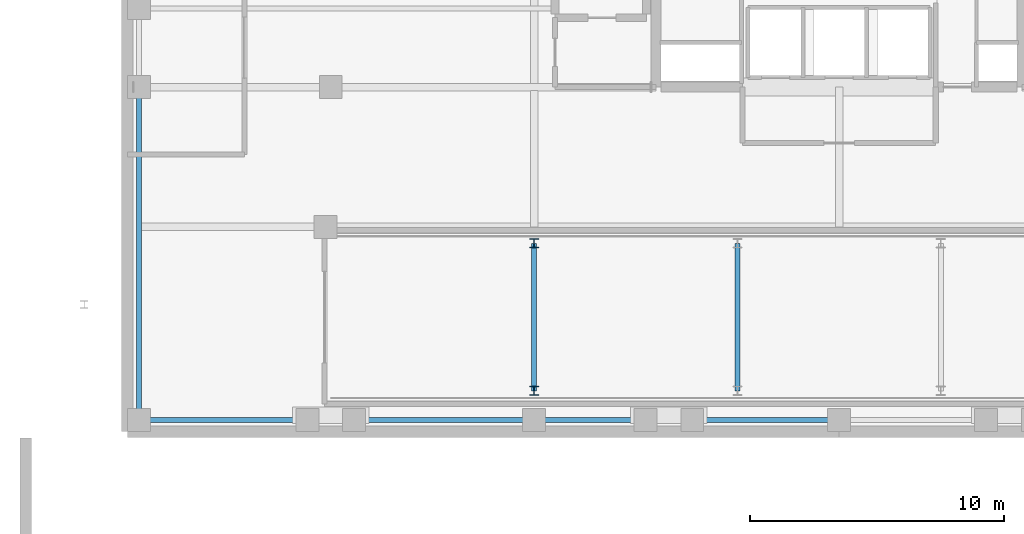
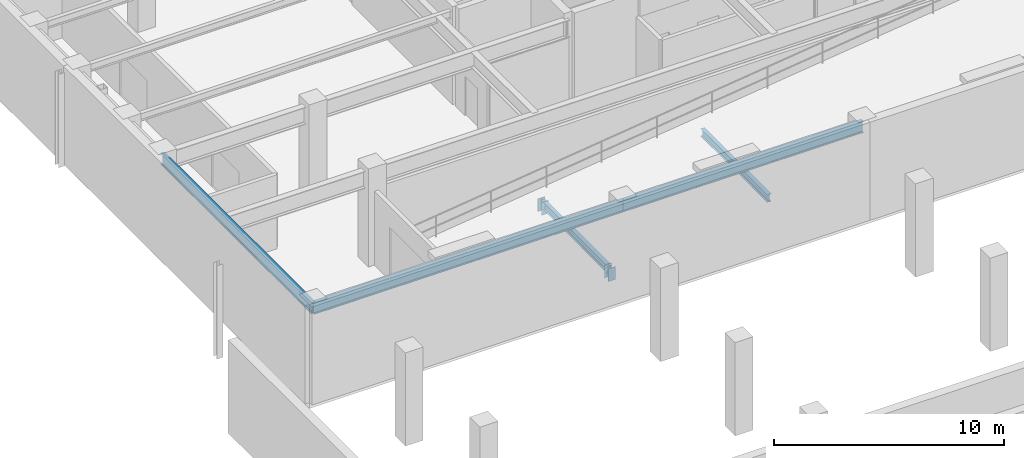
# One storey, part 7 of 16: 5 beams, 2 columns.
"""IFC4 building model written with IfcOpenShell, lengths in metres."""

from ifc_helpers import new_model, si_unit, direction, frame, origin, origin_2d, place, context, subcontext, project, spatial, i_section, extrude, material, material_profile, profile_set, type_object, element, save


model = new_model("IFC4")

# Units and contexts
model_context = context("Model", 3, precision=1e-05, world=origin(), true_north=direction((0.0, 1.0)))
body_context = subcontext(model_context, "Body", "Model", "MODEL_VIEW")
ifc_project = project(units=[si_unit("LENGTHUNIT", "METRE"), si_unit("AREAUNIT", "SQUARE_METRE"), si_unit("VOLUMEUNIT", "CUBIC_METRE"), si_unit("PLANEANGLEUNIT", "RADIAN"), si_unit("MASSUNIT", "GRAM", prefix="KILO")], contexts=[model_context])

# Site, building, storey
site_placement = place(None, origin())
site = spatial("IfcSite", under=ifc_project, at=site_placement, CompositionType="ELEMENT")
building_placement = place(site_placement, origin())
building = spatial("IfcBuilding", under=site, at=building_placement, Name="Veldorina Hangang Commons", CompositionType="ELEMENT")
storey_placement = place(building_placement, frame((0.0, 0.0, -5.199951171875)))
storey = spatial("IfcBuildingStorey", under=building, at=storey_placement, Name="B01", CompositionType="ELEMENT", Elevation=-5.199951171875)

# Columns
ifc_material_1 = material(Name="Steel SM420-TMC", Category="steel")
ifc_material_profile_1 = material_profile(ifc_material_1, i_section(OverallWidth=0.35009765625, OverallDepth=0.35009765625, WebThickness=0.011962890625, FlangeThickness=0.01904296875, FilletRadius=0.01611328125, at=origin_2d()), Name="H-350x350x12x19")
ifc_profile_set_1 = profile_set([ifc_material_profile_1], Name="Steel SM420-TMC")
column_type = type_object("IfcColumnType", Name="COL-H350", PredefinedType="COLUMN", material=ifc_profile_set_1)
for number, where, z_axis, x_axis, name in (
    (1, (20.0, 4.60009765625, 0.0), (0.0, 0.0, 1.0), (1.0, 0.0, 0.0), "B01 vehicle ramp support column 1S"),
    (2, (20.0, 10.39990234375, 0.0), (0.0, 0.0, 1.0), (1.0, 0.0, 0.0), "B01 vehicle ramp support column 1N"),
):
    element("IfcColumn", number, at=place(storey_placement, frame(where, z_axis=z_axis, x_axis=x_axis)), inside=storey, type_object=column_type, Name=name, PredefinedType="COLUMN", context=body_context, shape_type="SweptSolid", body=[
        extrude(i_section(OverallWidth=0.35009765625, OverallDepth=0.35009765625, WebThickness=0.011962890625, FlangeThickness=0.01904296875, FilletRadius=0.01611328125, at=origin_2d()), origin(), (0.0, 0.0, 1.0), 0.681396484375),
    ])

# Beams
ifc_material_2 = material(Name="Steel SM355-TMC", Category="steel")
ifc_material_profile_2 = material_profile(ifc_material_2, i_section(OverallWidth=0.199951171875, OverallDepth=0.39990234375, WebThickness=0.008056640625, FlangeThickness=0.012939453125, FilletRadius=0.012939453125, at=origin_2d()), Name="H-400x200x8x13")
ifc_profile_set_2 = profile_set([ifc_material_profile_2], Name="Steel SM355-TMC")
beam_type_1 = type_object("IfcBeamType", Name="BM-FG400", PredefinedType="BEAM", material=ifc_profile_set_2)
for number, where, z_axis, x_axis, name in (
    (3, (20.0, 4.60009765625, 0.4814453125), (0.0, 1.0, 0.0), (-1.0, 0.0, 0.0), "B01 vehicle ramp cross beam 1"),
    (4, (28.0, 4.60009765625, 1.474365234375), (0.0, 1.0, 0.0), (-1.0, 0.0, 0.0), "B01 vehicle ramp cross beam 2"),
):
    element("IfcBeam", number, at=place(storey_placement, frame(where, z_axis=z_axis, x_axis=x_axis)), inside=storey, type_object=beam_type_1, Name=name, PredefinedType="BEAM", context=body_context, shape_type="SweptSolid", body=[
        extrude(i_section(OverallWidth=0.199951171875, OverallDepth=0.39990234375, WebThickness=0.008056640625, FlangeThickness=0.012939453125, FilletRadius=0.012939453125, at=origin_2d()), origin(), (0.0, 0.0, 1.0), 5.7998046875),
    ])
ifc_material_profile_3 = material_profile(ifc_material_1, i_section(OverallWidth=0.199951171875, OverallDepth=0.60009765625, WebThickness=0.010986328125, FlangeThickness=0.01708984375, FilletRadius=0.01806640625, at=origin_2d()), Name="H-600x200x11x17")
ifc_profile_set_3 = profile_set([ifc_material_profile_3], Name="Steel SM420-TMC")
beam_type_2 = type_object("IfcBeamType", Name="BM-SPN600", PredefinedType="SPANDREL", material=ifc_profile_set_3)
beam_1_placement = place(storey_placement, frame((4.449951171875, 3.449951171875, 4.599853515625), z_axis=(1.0, 0.0, 0.0), x_axis=(0.0, 1.0, 0.0)))
element("IfcBeam", 5, at=beam_1_placement, inside=storey, type_object=beam_type_2, Name="B01 south spandrel beam 1", PredefinedType="SPANDREL", context=body_context, shape_type="SweptSolid", body=[
    extrude(i_section(OverallWidth=0.199951171875, OverallDepth=0.60009765625, WebThickness=0.010986328125, FlangeThickness=0.01708984375, FilletRadius=0.01806640625, at=origin_2d()), origin(), (0.0, 0.0, 1.0), 15.550048828125),
])
beam_2_placement = place(storey_placement, frame((20.0, 3.449951171875, 4.599853515625), z_axis=(1.0, 0.0, 0.0), x_axis=(0.0, 1.0, 0.0)))
element("IfcBeam", 6, at=beam_2_placement, inside=storey, type_object=beam_type_2, Name="B01 south spandrel beam 2", PredefinedType="SPANDREL", context=body_context, shape_type="SweptSolid", body=[
    extrude(i_section(OverallWidth=0.199951171875, OverallDepth=0.60009765625, WebThickness=0.010986328125, FlangeThickness=0.01708984375, FilletRadius=0.01806640625, at=origin_2d()), origin(), (0.0, 0.0, 1.0), 12.0),
])
beam_3_placement = place(storey_placement, frame((4.449951171875, 3.449951171875, 4.599853515625), z_axis=(0.0, 1.0, 0.0), x_axis=(-1.0, 0.0, 0.0)))
element("IfcBeam", 7, at=beam_3_placement, inside=storey, type_object=beam_type_2, Name="B01 west spandrel beam 1", PredefinedType="SPANDREL", context=body_context, shape_type="SweptSolid", body=[
    extrude(i_section(OverallWidth=0.199951171875, OverallDepth=0.60009765625, WebThickness=0.010986328125, FlangeThickness=0.01708984375, FilletRadius=0.01806640625, at=origin_2d()), origin(), (0.0, 0.0, 1.0), 13.10009765625),
])

save(model, "model.ifc")
